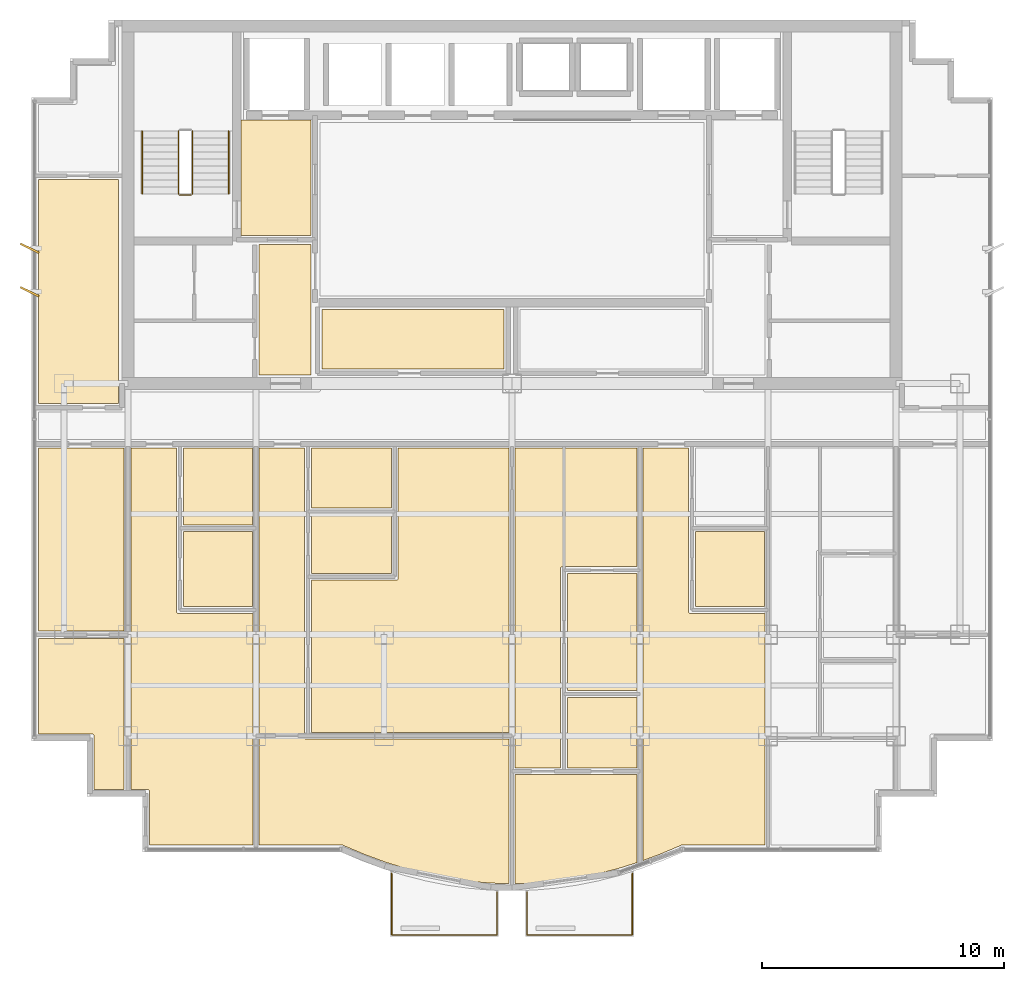
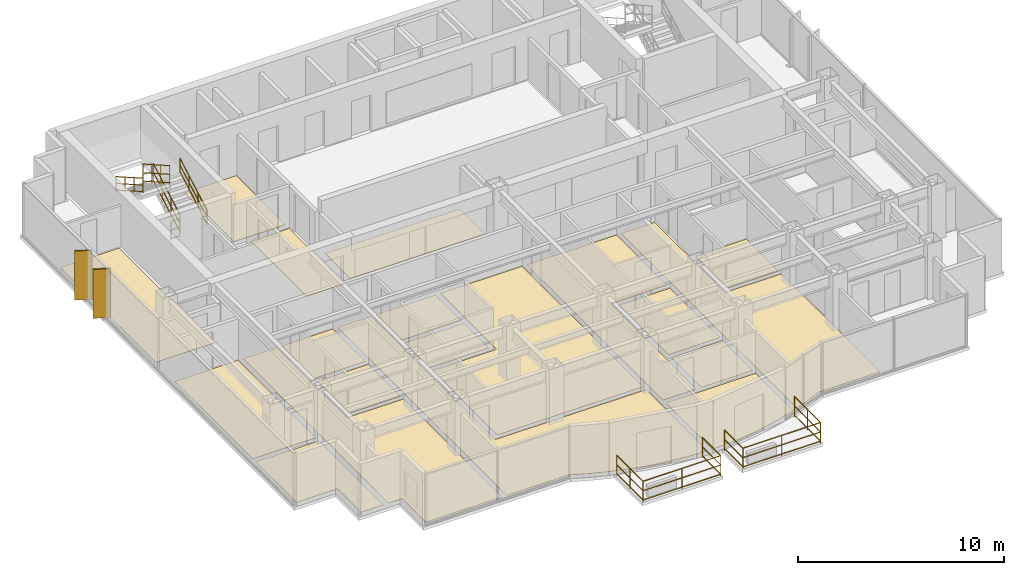
# One storey, part 11 of 12: 19 coverings, 7 railings, 2 shading devices.
"""IFC4 building model written with IfcOpenShell, lengths in metres."""

from ifc_helpers import new_model, si_unit, direction, frame, origin, origin_2d, place, context, subcontext, project, spatial, polyline, rectangle, circle, outline, extrude, source, transform, mapped, material, layer, layer_set, type_object, element, save


model = new_model("IFC4")

# Units and contexts
model_context = context("Model", 3, precision=1e-05, world=origin(), true_north=direction((0.0, 1.0)))
body_context = subcontext(model_context, "Body", "Model", "MODEL_VIEW")
ifc_project = project(units=[si_unit("LENGTHUNIT", "METRE"), si_unit("AREAUNIT", "SQUARE_METRE"), si_unit("VOLUMEUNIT", "CUBIC_METRE"), si_unit("PLANEANGLEUNIT", "RADIAN"), si_unit("MASSUNIT", "GRAM", prefix="KILO")], contexts=[model_context])

# Site, building, storey
site_placement = place(None, origin())
site = spatial("IfcSite", under=ifc_project, at=site_placement, CompositionType="ELEMENT")
building_placement = place(site_placement, origin())
building = spatial("IfcBuilding", under=site, at=building_placement, Name="Qianlan Lanfeng Residences", CompositionType="ELEMENT")
storey_placement = place(building_placement, frame((0.0, 0.0, 200.0)))
storey = spatial("IfcBuildingStorey", under=building, at=storey_placement, Name="L54", CompositionType="ELEMENT", Elevation=200.0)

# Coverings
ifc_material_1 = material(Name="Honed Taitung Granite Stone Flooring", Category="masonry")
ifc_layer_1 = layer(ifc_material_1, 0.030029296875)
ifc_layer_set_1 = layer_set([ifc_layer_1], Name="Honed Taitung Granite Stone Flooring")
covering_type_1 = type_object("IfcCoveringType", Name="FLR-STN-30", PredefinedType="FLOORING", material=ifc_layer_set_1)
covering_1_placement = place(storey_placement, origin())
element("IfcCovering", 1, at=covering_1_placement, inside=storey, type_object=covering_type_1, Name="L54 Firefighting Lift Lobby Floor Finish", PredefinedType="FLOORING", context=body_context, shape_type="SweptSolid", body=[
    extrude(outline(polyline([(15.2900390625, 31.320068359375), (18.179931640625, 31.320068359375), (18.179931640625, 36.110107421875), (15.2900390625, 36.110107421875), (15.2900390625, 31.320068359375)])), origin(), (0.0, 0.0, 1.0), 0.030029296875),
])
covering_2_placement = place(storey_placement, origin())
element("IfcCovering", 2, at=covering_2_placement, inside=storey, type_object=covering_type_1, Name="L54 Lift Lobby Floor Finish", PredefinedType="FLOORING", context=body_context, shape_type="SweptSolid", body=[
    extrude(outline(polyline([(16.030029296875, 25.56005859375), (18.169921875, 25.56005859375), (18.169921875, 30.949951171875), (16.030029296875, 30.949951171875), (16.030029296875, 25.56005859375)])), origin(), (0.0, 0.0, 1.0), 0.030029296875),
])
ifc_material_2 = material(Name="Slip-Resistant Porcelain Tile Flooring")
ifc_layer_2 = layer(ifc_material_2, 0.02001953125)
ifc_layer_set_2 = layer_set([ifc_layer_2], Name="Slip-Resistant Porcelain Tile Flooring")
covering_type_2 = type_object("IfcCoveringType", Name="FLR-TIL-20", PredefinedType="FLOORING", material=ifc_layer_set_2)
covering_3_placement = place(storey_placement, origin())
element("IfcCovering", 3, at=covering_3_placement, inside=storey, type_object=covering_type_2, Name="L54 Kitchen Floor Finish", PredefinedType="FLOORING", context=body_context, shape_type="SweptSolid", body=[
    extrude(outline(polyline([(12.889892578125, 15.9599609375), (15.760009765625, 15.9599609375), (15.760009765625, 19.070068359375), (12.889892578125, 19.070068359375), (12.889892578125, 15.9599609375)])), origin(), (0.0, 0.0, 1.0), 0.02001953125),
])
covering_4_placement = place(storey_placement, origin())
element("IfcCovering", 4, at=covering_4_placement, inside=storey, type_object=covering_type_2, Name="L54 Bathroom Floor Finish", PredefinedType="FLOORING", context=body_context, shape_type="SweptSolid", body=[
    extrude(outline(polyline([(12.889892578125, 19.35009765625), (15.760009765625, 19.35009765625), (15.760009765625, 22.530029296875), (12.889892578125, 22.530029296875), (12.889892578125, 19.35009765625)])), origin(), (0.0, 0.0, 1.0), 0.02001953125),
])
covering_5_placement = place(storey_placement, origin())
element("IfcCovering", 5, at=covering_5_placement, inside=storey, type_object=covering_type_2, Name="L54 Kitchen Floor Finish", PredefinedType="FLOORING", context=body_context, shape_type="SweptSolid", body=[
    extrude(outline(polyline([(18.18994140625, 17.340087890625), (21.510009765625, 17.340087890625), (21.510009765625, 19.760009765625), (18.18994140625, 19.760009765625), (18.18994140625, 17.340087890625)])), origin(), (0.0, 0.0, 1.0), 0.02001953125),
])
covering_6_placement = place(storey_placement, origin())
element("IfcCovering", 6, at=covering_6_placement, inside=storey, type_object=covering_type_2, Name="L54 Bathroom Floor Finish", PredefinedType="FLOORING", context=body_context, shape_type="SweptSolid", body=[
    extrude(outline(polyline([(18.18994140625, 20.0400390625), (21.510009765625, 20.0400390625), (21.510009765625, 22.530029296875), (18.18994140625, 22.530029296875), (18.18994140625, 20.0400390625)])), origin(), (0.0, 0.0, 1.0), 0.02001953125),
])
covering_7_placement = place(storey_placement, origin())
element("IfcCovering", 7, at=covering_7_placement, inside=storey, type_object=covering_type_2, Name="L54 En-Suite Bathroom Floor Finish", PredefinedType="FLOORING", context=body_context, shape_type="SweptSolid", body=[
    extrude(outline(polyline([(28.7900390625, 9.2880859375), (31.669921875, 9.2880859375), (31.669921875, 12.2080078125), (28.7900390625, 12.2080078125), (28.7900390625, 9.2880859375)])), origin(), (0.0, 0.0, 1.0), 0.02001953125),
])
covering_8_placement = place(storey_placement, origin())
element("IfcCovering", 8, at=covering_8_placement, inside=storey, type_object=covering_type_2, Name="L54 Kitchen Floor Finish", PredefinedType="FLOORING", context=body_context, shape_type="SweptSolid", body=[
    extrude(outline(polyline([(34.090087890625, 15.9599609375), (36.9599609375, 15.9599609375), (36.9599609375, 19.070068359375), (34.090087890625, 19.070068359375), (34.090087890625, 15.9599609375)])), origin(), (0.0, 0.0, 1.0), 0.02001953125),
])
ifc_material_3 = material(Name="Engineered Smoked Oak Timber Flooring", Category="wood")
ifc_layer_3 = layer(ifc_material_3, 0.02197265625)
ifc_layer_set_3 = layer_set([ifc_layer_3], Name="Engineered Smoked Oak Timber Flooring")
covering_type_3 = type_object("IfcCoveringType", Name="FLR-TIM-22", PredefinedType="FLOORING", material=ifc_layer_set_3)
covering_9_placement = place(storey_placement, origin())
element("IfcCovering", 9, at=covering_9_placement, inside=storey, type_object=covering_type_3, Name="L54 Gallery Salon Floor Finish", PredefinedType="FLOORING", context=body_context, shape_type="SweptSolid", body=[
    extrude(outline(polyline([(18.6298828125, 25.800048828125), (26.169921875, 25.800048828125), (26.169921875, 28.2548828125), (18.6298828125, 28.2548828125), (18.6298828125, 25.800048828125)])), origin(), (0.0, 0.0, 1.0), 0.02197265625),
])
covering_10_placement = place(storey_placement, origin())
element("IfcCovering", 10, at=covering_10_placement, inside=storey, type_object=covering_type_3, Name="L54 Studio Living Room Floor Finish", PredefinedType="FLOORING", context=body_context, shape_type="SweptSolid", body=[
    extrude(outline(polyline([(15.77001953125, 6.090087890625), (15.77001953125, 15.679931640625), (12.679931640625, 15.679931640625), (12.673095703125, 15.679931640625), (12.666015625, 15.680908203125), (12.659912109375, 15.68310546875), (12.653076171875, 15.68505859375), (12.64697265625, 15.68798828125), (12.64111328125, 15.69189453125), (12.635986328125, 15.696044921875), (12.631103515625, 15.700927734375), (12.6259765625, 15.7060546875), (12.6220703125, 15.7109375), (12.617919921875, 15.717041015625), (12.614990234375, 15.722900390625), (12.613037109375, 15.72998046875), (12.611083984375, 15.736083984375), (12.610107421875, 15.742919921875), (12.610107421875, 15.75), (12.610107421875, 22.530029296875), (10.72998046875, 22.530029296875), (10.72998046875, 8.389892578125), (11.419921875, 8.389892578125), (11.427001953125, 8.389892578125), (11.43408203125, 8.388916015625), (11.43994140625, 8.386962890625), (11.447021484375, 8.385009765625), (11.452880859375, 8.382080078125), (11.458984375, 8.3779296875), (11.464111328125, 8.3740234375), (11.468994140625, 8.368896484375), (11.47412109375, 8.364013671875), (11.47802734375, 8.35888671875), (11.48193359375, 8.35302734375), (11.485107421875, 8.346923828125), (11.487060546875, 8.340087890625), (11.489013671875, 8.333984375), (11.489990234375, 8.326904296875), (11.489990234375, 8.320068359375), (11.489990234375, 6.090087890625), (15.77001953125, 6.090087890625)])), origin(), (0.0, 0.0, 1.0), 0.02197265625),
])
covering_11_placement = place(storey_placement, origin())
element("IfcCovering", 11, at=covering_11_placement, inside=storey, type_object=covering_type_3, Name="L54 Living and Dining Room Floor Finish", PredefinedType="FLOORING", context=body_context, shape_type="SweptSolid", body=[
    extrude(outline(polyline([(26.3701171875, 4.493896484375), (26.3701171875, 10.47412109375), (17.97998046875, 10.47412109375), (17.972900390625, 10.47412109375), (17.966064453125, 10.47509765625), (17.9599609375, 10.47705078125), (17.952880859375, 10.47900390625), (17.947021484375, 10.48193359375), (17.94091796875, 10.486083984375), (17.93603515625, 10.489990234375), (17.930908203125, 10.4951171875), (17.926025390625, 10.5), (17.922119140625, 10.5048828125), (17.91796875, 10.510986328125), (17.9150390625, 10.51708984375), (17.9130859375, 10.52392578125), (17.910888671875, 10.530029296875), (17.909912109375, 10.537109375), (17.909912109375, 10.5439453125), (17.909912109375, 22.530029296875), (16.030029296875, 22.530029296875), (16.030029296875, 6.090087890625), (19.465087890625, 6.090087890625), (19.471923828125, 6.090087890625), (19.47900390625, 6.089111328125), (19.485107421875, 6.0869140625), (19.491943359375, 6.083984375), (20.412109375, 5.695068359375), (21.282958984375, 5.375), (22.154052734375, 5.10400390625), (23.02392578125, 4.883056640625), (23.89306640625, 4.7109375), (24.762939453125, 4.587890625), (25.631103515625, 4.514892578125), (26.3701171875, 4.493896484375)])), origin(), (0.0, 0.0, 1.0), 0.02197265625),
])
covering_12_placement = place(storey_placement, origin())
element("IfcCovering", 12, at=covering_12_placement, inside=storey, type_object=covering_type_3, Name="L54 Villa Family Sitting Room Floor Finish", PredefinedType="FLOORING", context=body_context, shape_type="SweptSolid", body=[
    extrude(outline(polyline([(18.18994140625, 10.75390625), (26.3701171875, 10.75390625), (26.3701171875, 22.530029296875), (21.7900390625, 22.530029296875), (21.7900390625, 17.1298828125), (21.7900390625, 17.123046875), (21.7890625, 17.115966796875), (21.787109375, 17.110107421875), (21.784912109375, 17.10302734375), (21.781982421875, 17.096923828125), (21.778076171875, 17.091064453125), (21.77392578125, 17.0859375), (21.76904296875, 17.0810546875), (21.763916015625, 17.075927734375), (21.759033203125, 17.072021484375), (21.7529296875, 17.068115234375), (21.7470703125, 17.06494140625), (21.739990234375, 17.06298828125), (21.73388671875, 17.06103515625), (21.72705078125, 17.06005859375), (21.719970703125, 17.06005859375), (18.18994140625, 17.06005859375), (18.18994140625, 10.75390625)])), origin(), (0.0, 0.0, 1.0), 0.02197265625),
])
covering_13_placement = place(storey_placement, origin())
element("IfcCovering", 13, at=covering_13_placement, inside=storey, type_object=covering_type_3, Name="L54 Private Study Floor Finish", PredefinedType="FLOORING", context=body_context, shape_type="SweptSolid", body=[
    extrude(outline(polyline([(28.7900390625, 12.488037109375), (31.669921875, 12.488037109375), (31.669921875, 17.333984375), (28.7900390625, 17.333984375), (28.7900390625, 12.488037109375)])), origin(), (0.0, 0.0, 1.0), 0.02197265625),
])
covering_14_placement = place(storey_placement, origin())
element("IfcCovering", 14, at=covering_14_placement, inside=storey, type_object=covering_type_3, Name="L54 Villa Family Sitting Room Floor Finish", PredefinedType="FLOORING", context=body_context, shape_type="SweptSolid", body=[
    extrude(outline(polyline([(26.6298828125, 9.2880859375), (28.510009765625, 9.2880859375), (28.510009765625, 17.5439453125), (28.510009765625, 17.551025390625), (28.510986328125, 17.55810546875), (28.512939453125, 17.56396484375), (28.514892578125, 17.571044921875), (28.51806640625, 17.576904296875), (28.52197265625, 17.5830078125), (28.52587890625, 17.587890625), (28.531005859375, 17.593017578125), (28.535888671875, 17.597900390625), (28.541015625, 17.60205078125), (28.547119140625, 17.60595703125), (28.552978515625, 17.60888671875), (28.56005859375, 17.611083984375), (28.56591796875, 17.613037109375), (28.572998046875, 17.614013671875), (28.580078125, 17.614013671875), (31.669921875, 17.614013671875), (31.669921875, 22.530029296875), (26.6298828125, 22.530029296875), (26.6298828125, 9.2880859375)])), origin(), (0.0, 0.0, 1.0), 0.02197265625),
])
covering_15_placement = place(storey_placement, origin())
element("IfcCovering", 15, at=covering_15_placement, inside=storey, type_object=covering_type_3, Name="L54 Master Bedroom Floor Finish", PredefinedType="FLOORING", context=body_context, shape_type="SweptSolid", body=[
    extrude(outline(polyline([(26.6298828125, 9.008056640625), (26.6298828125, 4.493896484375), (27.368896484375, 4.514892578125), (28.237060546875, 4.587890625), (29.10693359375, 4.7109375), (29.97607421875, 4.883056640625), (30.845947265625, 5.10400390625), (31.669921875, 5.360107421875), (31.669921875, 9.008056640625), (26.6298828125, 9.008056640625)])), origin(), (0.0, 0.0, 1.0), 0.02197265625),
])
covering_16_placement = place(storey_placement, origin())
element("IfcCovering", 16, at=covering_16_placement, inside=storey, type_object=covering_type_3, Name="L54 Living and Dining Room Floor Finish", PredefinedType="FLOORING", context=body_context, shape_type="SweptSolid", body=[
    extrude(outline(polyline([(36.969970703125, 6.090087890625), (36.969970703125, 15.679931640625), (33.8798828125, 15.679931640625), (33.873046875, 15.679931640625), (33.865966796875, 15.680908203125), (33.860107421875, 15.68310546875), (33.85302734375, 15.68505859375), (33.846923828125, 15.68798828125), (33.841064453125, 15.69189453125), (33.8359375, 15.696044921875), (33.8310546875, 15.700927734375), (33.825927734375, 15.7060546875), (33.822021484375, 15.7109375), (33.818115234375, 15.717041015625), (33.81494140625, 15.722900390625), (33.81298828125, 15.72998046875), (33.81103515625, 15.736083984375), (33.81005859375, 15.742919921875), (33.81005859375, 15.75), (33.81005859375, 22.530029296875), (31.929931640625, 22.530029296875), (31.929931640625, 5.452880859375), (32.587890625, 5.695068359375), (33.508056640625, 6.083984375), (33.514892578125, 6.0869140625), (33.52099609375, 6.089111328125), (33.528076171875, 6.090087890625), (33.534912109375, 6.090087890625), (36.969970703125, 6.090087890625)])), origin(), (0.0, 0.0, 1.0), 0.02197265625),
])
covering_17_placement = place(storey_placement, origin())
element("IfcCovering", 17, at=covering_17_placement, inside=storey, type_object=covering_type_3, Name="L54 Sunroom Floor Finish", PredefinedType="FLOORING", context=body_context, shape_type="SweptSolid", body=[
    extrude(outline(polyline([(10.43994140625, 14.64990234375), (6.889892578125, 14.64990234375), (6.889892578125, 10.68994140625), (9.1201171875, 10.68994140625), (9.126953125, 10.68994140625), (9.134033203125, 10.68896484375), (9.139892578125, 10.68701171875), (9.14697265625, 10.68505859375), (9.153076171875, 10.681884765625), (9.158935546875, 10.677978515625), (9.1640625, 10.674072265625), (9.1689453125, 10.6689453125), (9.174072265625, 10.6640625), (9.177978515625, 10.658935546875), (9.181884765625, 10.653076171875), (9.18505859375, 10.64697265625), (9.18701171875, 10.639892578125), (9.18896484375, 10.634033203125), (9.18994140625, 10.626953125), (9.18994140625, 10.6201171875), (9.18994140625, 8.389892578125), (10.43994140625, 8.389892578125), (10.43994140625, 14.64990234375)])), origin(), (0.0, 0.0, 1.0), 0.02197265625),
])
covering_18_placement = place(storey_placement, origin())
element("IfcCovering", 18, at=covering_18_placement, inside=storey, type_object=covering_type_3, Name="L54 Family Sitting Room Floor Finish", PredefinedType="FLOORING", context=body_context, shape_type="SweptSolid", body=[
    extrude(outline(polyline([(10.43994140625, 22.530029296875), (6.889892578125, 22.530029296875), (6.889892578125, 14.949951171875), (10.43994140625, 14.949951171875), (10.43994140625, 22.530029296875)])), origin(), (0.0, 0.0, 1.0), 0.02197265625),
])
covering_19_placement = place(storey_placement, origin())
element("IfcCovering", 19, at=covering_19_placement, inside=storey, type_object=covering_type_3, Name="L54 Boardroom Suite Floor Finish", PredefinedType="FLOORING", context=body_context, shape_type="SweptSolid", body=[
    extrude(outline(polyline([(10.199951171875, 33.64990234375), (6.889892578125, 33.64990234375), (6.889892578125, 24.3798828125), (10.199951171875, 24.3798828125), (10.199951171875, 33.64990234375)])), origin(), (0.0, 0.0, 1.0), 0.02197265625),
])

# Railings
ifc_material_4 = material(Name="Anodised Bronze Aluminium and Laminated Glass Guard Balustrade", Category="aluminium")
railing_type_1 = type_object("IfcRailingType", Name="GR-EXT-1220", PredefinedType="BALUSTRADE", material=ifc_material_4)
railing_1_placement = place(storey_placement, frame((25.8798828125, 4.14794921875, 0.0)))
element("IfcRailing", 20, at=railing_1_placement, inside=storey, type_object=railing_type_1, Name="L54 Terrace Safety Guard GR-L54-SB-W", PredefinedType="BALUSTRADE", context=body_context, shape_type="SweptSolid", body=[
    extrude(circle(Radius=0.02490234375, at=origin_2d()), frame((0.0, 0.0, 0.0849609375), z_axis=(0.0, -1.0, 0.0), x_axis=(1.0, 0.0, 0.0)), (0.0, 0.0, 1.0), 1.77783203125),
    extrude(circle(Radius=0.02490234375, at=origin_2d()), frame((0.0, 0.0, 0.63427734375), z_axis=(0.0, -1.0, 0.0), x_axis=(1.0, 0.0, 0.0)), (0.0, 0.0, 1.0), 1.77783203125),
    extrude(circle(Radius=0.02490234375, at=origin_2d()), frame((0.0, 0.0, 1.19482421875), z_axis=(0.0, -1.0, 0.0), x_axis=(1.0, 0.0, 0.0)), (0.0, 0.0, 1.0), 1.77783203125),
    extrude(circle(Radius=0.02490234375, at=origin_2d()), frame((0.0, -1.77783203125, 0.0849609375), z_axis=(-1.0, 0.0, 0.0), x_axis=(0.0, -1.0, 0.0)), (0.0, 0.0, 1.0), 4.35986328125),
    extrude(circle(Radius=0.02490234375, at=origin_2d()), frame((0.0, -1.77783203125, 0.63427734375), z_axis=(-1.0, 0.0, 0.0), x_axis=(0.0, -1.0, 0.0)), (0.0, 0.0, 1.0), 4.35986328125),
    extrude(circle(Radius=0.02490234375, at=origin_2d()), frame((0.0, -1.77783203125, 1.19482421875), z_axis=(-1.0, 0.0, 0.0), x_axis=(0.0, -1.0, 0.0)), (0.0, 0.0, 1.0), 4.35986328125),
    extrude(circle(Radius=0.02490234375, at=origin_2d()), frame((-4.35986328125, -1.77783203125, 0.0849609375), z_axis=(0.0, 1.0, 0.0), x_axis=(-1.0, 0.0, 0.0)), (0.0, 0.0, 1.0), 2.553955078125),
    extrude(circle(Radius=0.02490234375, at=origin_2d()), frame((-4.35986328125, -1.77783203125, 0.63427734375), z_axis=(0.0, 1.0, 0.0), x_axis=(-1.0, 0.0, 0.0)), (0.0, 0.0, 1.0), 2.553955078125),
    extrude(circle(Radius=0.02490234375, at=origin_2d()), frame((-4.35986328125, -1.77783203125, 1.19482421875), z_axis=(0.0, 1.0, 0.0), x_axis=(-1.0, 0.0, 0.0)), (0.0, 0.0, 1.0), 2.553955078125),
    extrude(circle(Radius=0.02099609375, at=origin_2d()), origin(), (0.0, 0.0, 1.0), 1.169921875),
    extrude(circle(Radius=0.02099609375, at=origin_2d()), frame((0.0, -1.77783203125, 0.0)), (0.0, 0.0, 1.0), 1.169921875),
    extrude(circle(Radius=0.02099609375, at=origin_2d()), frame((-2.179931640625, -1.77783203125, 0.0)), (0.0, 0.0, 1.0), 1.169921875),
    extrude(circle(Radius=0.02099609375, at=origin_2d()), frame((-4.35986328125, -1.77783203125, 0.0)), (0.0, 0.0, 1.0), 1.169921875),
    extrude(circle(Radius=0.02099609375, at=origin_2d()), frame((-4.35986328125, -0.5009765625, 0.0)), (0.0, 0.0, 1.0), 1.169921875),
    extrude(circle(Radius=0.02099609375, at=origin_2d()), frame((-4.35986328125, 0.776123046875, 0.0)), (0.0, 0.0, 1.0), 1.169921875),
])
railing_2_placement = place(storey_placement, frame((31.47998046875, 4.924072265625, 0.0)))
element("IfcRailing", 21, at=railing_2_placement, inside=storey, type_object=railing_type_1, Name="L54 Terrace Safety Guard GR-L54-SB-E", PredefinedType="BALUSTRADE", context=body_context, shape_type="SweptSolid", body=[
    extrude(circle(Radius=0.02490234375, at=origin_2d()), frame((0.0, 0.0, 0.0849609375), z_axis=(0.0, -1.0, 0.0), x_axis=(1.0, 0.0, 0.0)), (0.0, 0.0, 1.0), 2.553955078125),
    extrude(circle(Radius=0.02490234375, at=origin_2d()), frame((0.0, 0.0, 0.63427734375), z_axis=(0.0, -1.0, 0.0), x_axis=(1.0, 0.0, 0.0)), (0.0, 0.0, 1.0), 2.553955078125),
    extrude(circle(Radius=0.02490234375, at=origin_2d()), frame((0.0, 0.0, 1.19482421875), z_axis=(0.0, -1.0, 0.0), x_axis=(1.0, 0.0, 0.0)), (0.0, 0.0, 1.0), 2.553955078125),
    extrude(circle(Radius=0.02490234375, at=origin_2d()), frame((0.0, -2.553955078125, 0.0849609375), z_axis=(-1.0, 0.0, 0.0), x_axis=(0.0, -1.0, 0.0)), (0.0, 0.0, 1.0), 4.35986328125),
    extrude(circle(Radius=0.02490234375, at=origin_2d()), frame((0.0, -2.553955078125, 0.63427734375), z_axis=(-1.0, 0.0, 0.0), x_axis=(0.0, -1.0, 0.0)), (0.0, 0.0, 1.0), 4.35986328125),
    extrude(circle(Radius=0.02490234375, at=origin_2d()), frame((0.0, -2.553955078125, 1.19482421875), z_axis=(-1.0, 0.0, 0.0), x_axis=(0.0, -1.0, 0.0)), (0.0, 0.0, 1.0), 4.35986328125),
    extrude(circle(Radius=0.02490234375, at=origin_2d()), frame((-4.35986328125, -2.553955078125, 0.0849609375), z_axis=(0.0, 1.0, 0.0), x_axis=(-1.0, 0.0, 0.0)), (0.0, 0.0, 1.0), 1.77783203125),
    extrude(circle(Radius=0.02490234375, at=origin_2d()), frame((-4.35986328125, -2.553955078125, 0.63427734375), z_axis=(0.0, 1.0, 0.0), x_axis=(-1.0, 0.0, 0.0)), (0.0, 0.0, 1.0), 1.77783203125),
    extrude(circle(Radius=0.02490234375, at=origin_2d()), frame((-4.35986328125, -2.553955078125, 1.19482421875), z_axis=(0.0, 1.0, 0.0), x_axis=(-1.0, 0.0, 0.0)), (0.0, 0.0, 1.0), 1.77783203125),
    extrude(circle(Radius=0.02099609375, at=origin_2d()), origin(), (0.0, 0.0, 1.0), 1.169921875),
    extrude(circle(Radius=0.02099609375, at=origin_2d()), frame((0.0, -1.27685546875, 0.0)), (0.0, 0.0, 1.0), 1.169921875),
    extrude(circle(Radius=0.02099609375, at=origin_2d()), frame((0.0, -2.553955078125, 0.0)), (0.0, 0.0, 1.0), 1.169921875),
    extrude(circle(Radius=0.02099609375, at=origin_2d()), frame((-2.179931640625, -2.553955078125, 0.0)), (0.0, 0.0, 1.0), 1.169921875),
    extrude(circle(Radius=0.02099609375, at=origin_2d()), frame((-4.35986328125, -2.553955078125, 0.0)), (0.0, 0.0, 1.0), 1.169921875),
    extrude(circle(Radius=0.02099609375, at=origin_2d()), frame((-4.35986328125, -0.776123046875, 0.0)), (0.0, 0.0, 1.0), 1.169921875),
])
ifc_material_5 = material(Name="Painted Galvanised Steel Guardrail", Category="steel")
railing_type_2 = type_object("IfcRailingType", Name="GR-ST-1120", PredefinedType="GUARDRAIL", material=ifc_material_5)
railing_3_placement = place(storey_placement, frame((13.27001953125, 33.050048828125, 0.1650390625)))
element("IfcRailing", 22, at=railing_3_placement, inside=storey, type_object=railing_type_2, Name="L54 ST-1 stair guard 1", PredefinedType="GUARDRAIL", context=body_context, shape_type="SweptSolid", body=[
    extrude(circle(Radius=0.02392578125, at=origin_2d()), frame((0.0, 0.0, 0.083984375), z_axis=(0.0, 0.869172267526, 0.494509422927), x_axis=(-1.0, 0.0, 0.0)), (0.0, 0.0, 1.0), 3.002685546875),
    extrude(circle(Radius=0.02392578125, at=origin_2d()), frame((0.0, 0.0, 0.58251953125), z_axis=(0.0, 0.869172267526, 0.494509422927), x_axis=(-1.0, 0.0, 0.0)), (0.0, 0.0, 1.0), 3.002685546875),
    extrude(circle(Radius=0.02392578125, at=origin_2d()), frame((0.0, 0.0, 1.09619140625), z_axis=(0.0, 0.869172267526, 0.494509422927), x_axis=(-1.0, 0.0, 0.0)), (0.0, 0.0, 1.0), 3.002685546875),
    extrude(circle(Radius=0.02099609375, at=origin_2d()), origin(), (0.0, 0.0, 1.0), 1.072021484375),
    extrude(circle(Radius=0.02099609375, at=origin_2d()), frame((0.0, 0.869873046875, 0.494873046875)), (0.0, 0.0, 1.0), 1.072021484375),
    extrude(circle(Radius=0.02099609375, at=origin_2d()), frame((0.0, 1.739990234375, 0.989990234375)), (0.0, 0.0, 1.0), 1.072021484375),
    extrude(circle(Radius=0.02099609375, at=origin_2d()), frame((0.0, 2.60986328125, 1.48486328125)), (0.0, 0.0, 1.0), 1.072021484375),
])
railing_4_placement = place(storey_placement, frame((12.68994140625, 35.659912109375, 1.81494140625)))
element("IfcRailing", 23, at=railing_4_placement, inside=storey, type_object=railing_type_2, Name="L54 ST-1 stair guard 3", PredefinedType="GUARDRAIL", context=body_context, shape_type="SweptSolid", body=[
    extrude(circle(Radius=0.02392578125, at=origin_2d()), frame((0.0, 0.0, 0.083984375), z_axis=(0.0, -0.869137319866, 0.494570843475), x_axis=(1.0, 0.0, 0.0)), (0.0, 0.0, 1.0), 3.0029296875),
    extrude(circle(Radius=0.02392578125, at=origin_2d()), frame((0.0, 0.0, 0.58251953125), z_axis=(0.0, -0.869137319866, 0.494570843475), x_axis=(1.0, 0.0, 0.0)), (0.0, 0.0, 1.0), 3.0029296875),
    extrude(circle(Radius=0.02392578125, at=origin_2d()), frame((0.0, 0.0, 1.09619140625), z_axis=(0.0, -0.869137319866, 0.494570843475), x_axis=(1.0, 0.0, 0.0)), (0.0, 0.0, 1.0), 3.0029296875),
    extrude(circle(Radius=0.02099609375, at=origin_2d()), origin(), (0.0, 0.0, 1.0), 1.072021484375),
    extrude(circle(Radius=0.02099609375, at=origin_2d()), frame((0.0, -0.869873046875, 0.4951171875)), (0.0, 0.0, 1.0), 1.072021484375),
    extrude(circle(Radius=0.02099609375, at=origin_2d()), frame((0.0, -1.739990234375, 0.989990234375)), (0.0, 0.0, 1.0), 1.072021484375),
    extrude(circle(Radius=0.02099609375, at=origin_2d()), frame((0.0, -2.60986328125, 1.485107421875)), (0.0, 0.0, 1.0), 1.072021484375),
])
railing_5_placement = place(storey_placement, frame((13.219970703125, 33.0, 0.0)))
element("IfcRailing", 24, at=railing_5_placement, inside=storey, type_object=railing_type_2, Name="L54 ST-1 stair guard 4", PredefinedType="GUARDRAIL", context=body_context, shape_type="SweptSolid", body=[
    extrude(circle(Radius=0.02392578125, at=origin_2d()), frame((0.0, 0.0, 0.083984375), z_axis=(-1.0, 0.0, 0.0), x_axis=(0.0, -1.0, 0.0)), (0.0, 0.0, 1.0), 0.47998046875),
    extrude(circle(Radius=0.02392578125, at=origin_2d()), frame((0.0, 0.0, 0.58251953125), z_axis=(-1.0, 0.0, 0.0), x_axis=(0.0, -1.0, 0.0)), (0.0, 0.0, 1.0), 0.47998046875),
    extrude(circle(Radius=0.02392578125, at=origin_2d()), frame((0.0, 0.0, 1.09619140625), z_axis=(-1.0, 0.0, 0.0), x_axis=(0.0, -1.0, 0.0)), (0.0, 0.0, 1.0), 0.47998046875),
    extrude(circle(Radius=0.02099609375, at=origin_2d()), origin(), (0.0, 0.0, 1.0), 1.072021484375),
    extrude(circle(Radius=0.02099609375, at=origin_2d()), frame((-0.47998046875, 0.0, 0.0)), (0.0, 0.0, 1.0), 1.072021484375),
])
ifc_material_6 = material(Name="Brushed Stainless Steel Handrail", Category="steel")
railing_type_3 = type_object("IfcRailingType", Name="HR-ST-920", PredefinedType="HANDRAIL", material=ifc_material_6)
railing_6_placement = place(storey_placement, frame((14.77001953125, 33.050048828125, 0.1650390625)))
element("IfcRailing", 25, at=railing_6_placement, inside=storey, type_object=railing_type_3, Name="L54 ST-1 stair handrail 1", PredefinedType="HANDRAIL", context=body_context, shape_type="SweptSolid", body=[
    extrude(circle(Radius=0.02392578125, at=origin_2d()), frame((0.0, 0.0, 0.083984375), z_axis=(0.0, 0.869172267526, 0.494509422927), x_axis=(-1.0, 0.0, 0.0)), (0.0, 0.0, 1.0), 3.002685546875),
    extrude(circle(Radius=0.02392578125, at=origin_2d()), frame((0.0, 0.0, 0.468017578125), z_axis=(0.0, 0.869172267526, 0.494509422927), x_axis=(-1.0, 0.0, 0.0)), (0.0, 0.0, 1.0), 3.002685546875),
    extrude(circle(Radius=0.02392578125, at=origin_2d()), frame((0.0, 0.0, 0.8759765625), z_axis=(0.0, 0.869172267526, 0.494509422927), x_axis=(-1.0, 0.0, 0.0)), (0.0, 0.0, 1.0), 3.002685546875),
    extrude(circle(Radius=0.02099609375, at=origin_2d()), origin(), (0.0, 0.0, 1.0), 0.851806640625),
    extrude(circle(Radius=0.02099609375, at=origin_2d()), frame((0.0, 0.869873046875, 0.494873046875)), (0.0, 0.0, 1.0), 0.851806640625),
    extrude(circle(Radius=0.02099609375, at=origin_2d()), frame((0.0, 1.739990234375, 0.989990234375)), (0.0, 0.0, 1.0), 0.851806640625),
    extrude(circle(Radius=0.02099609375, at=origin_2d()), frame((0.0, 2.60986328125, 1.48486328125)), (0.0, 0.0, 1.0), 0.851806640625),
])
railing_7_placement = place(storey_placement, frame((11.18994140625, 35.659912109375, 1.81494140625)))
element("IfcRailing", 26, at=railing_7_placement, inside=storey, type_object=railing_type_3, Name="L54 ST-1 stair handrail 2", PredefinedType="HANDRAIL", context=body_context, shape_type="SweptSolid", body=[
    extrude(circle(Radius=0.02392578125, at=origin_2d()), frame((0.0, 0.0, 0.083984375), z_axis=(0.0, -0.869137319866, 0.494570843475), x_axis=(1.0, 0.0, 0.0)), (0.0, 0.0, 1.0), 3.0029296875),
    extrude(circle(Radius=0.02392578125, at=origin_2d()), frame((0.0, 0.0, 0.468017578125), z_axis=(0.0, -0.869137319866, 0.494570843475), x_axis=(1.0, 0.0, 0.0)), (0.0, 0.0, 1.0), 3.0029296875),
    extrude(circle(Radius=0.02392578125, at=origin_2d()), frame((0.0, 0.0, 0.8759765625), z_axis=(0.0, -0.869137319866, 0.494570843475), x_axis=(1.0, 0.0, 0.0)), (0.0, 0.0, 1.0), 3.0029296875),
    extrude(circle(Radius=0.02099609375, at=origin_2d()), origin(), (0.0, 0.0, 1.0), 0.851806640625),
    extrude(circle(Radius=0.02099609375, at=origin_2d()), frame((0.0, -0.869873046875, 0.4951171875)), (0.0, 0.0, 1.0), 0.851806640625),
    extrude(circle(Radius=0.02099609375, at=origin_2d()), frame((0.0, -1.739990234375, 0.989990234375)), (0.0, 0.0, 1.0), 0.851806640625),
    extrude(circle(Radius=0.02099609375, at=origin_2d()), frame((0.0, -2.60986328125, 1.485107421875)), (0.0, 0.0, 1.0), 0.851806640625),
])

# Shading devices
ifc_material_7 = material(Name="Anodised Bronze Aluminium Solar Fin", Category="aluminium")
shading_device_type = type_object("IfcShadingDeviceType", Name="FIN-BRZ-850", PredefinedType="SHUTTER", material=ifc_material_7)
shared_shape = source(origin(), body_context, "Body", "SweptSolid", [
    extrude(rectangle(XDim=0.85009765625, YDim=0.080078125, at=origin_2d()), origin(), (0.0, 0.0, 1.0), 2.89990234375),
])
for number, where, z_axis, x_axis, name in (
    (27, (6.530029296875, 29.0, 0.0), (0.0, 0.0, 1.0), (0.898794046299, -0.438371146789, 0.0), "L54 Raked Bronze Solar Fin W1"),
    (28, (6.530029296875, 30.800048828125, 0.0), (0.0, 0.0, 1.0), (0.898794046299, -0.438371146789, 0.0), "L54 Raked Bronze Solar Fin W2"),
):
    element("IfcShadingDevice", number, at=place(storey_placement, frame(where, z_axis=z_axis, x_axis=x_axis)), inside=storey, type_object=shading_device_type, Name=name, PredefinedType="SHUTTER", context=body_context, shape_type="MappedRepresentation", body=[
        mapped(shared_shape, transform((0.0, 0.0, 0.0), scale=1.0)),
    ])

save(model, "model.ifc")
